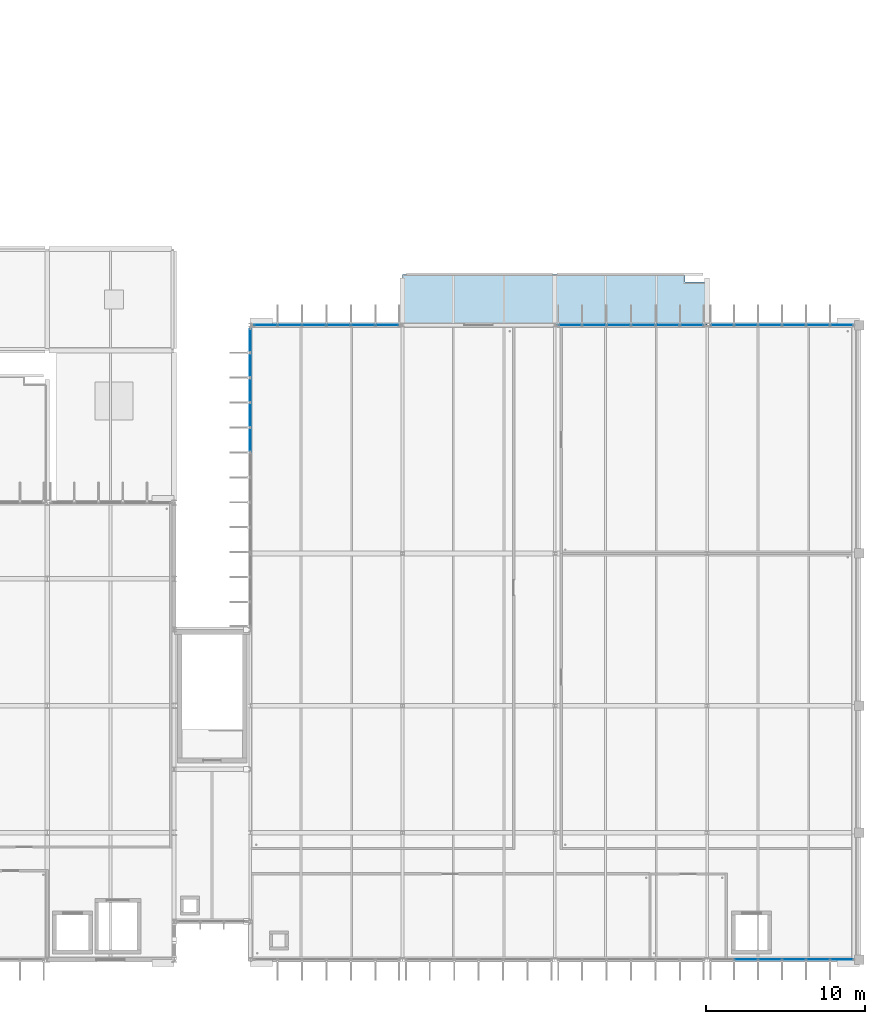
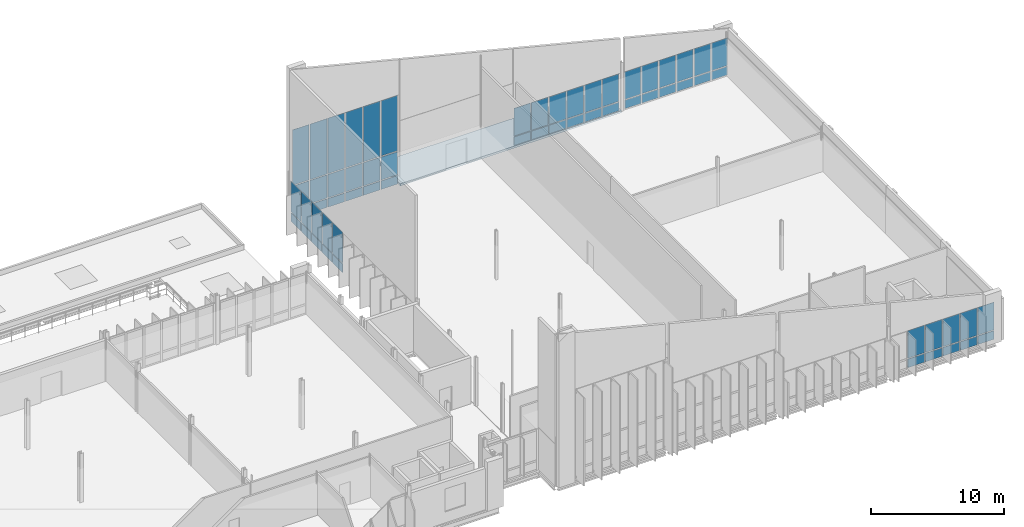
# One storey, part 58 of 110: 62 plates, 1 slab, 5 elements without a shape of their own.
"""IFC4 building model written with IfcOpenShell, lengths in metres."""

from ifc_helpers import new_model, si_unit, direction, frame, origin, origin_2d, place, context, subcontext, project, spatial, polyline, rectangle, outline, extrude, material, layer, layer_set, type_object, element, aggregate, save


model = new_model("IFC4")

# Units and contexts
model_context = context("Model", 3, precision=1e-05, world=origin(), true_north=direction((0.0, 1.0)))
body_context = subcontext(model_context, "Body", "Model", "MODEL_VIEW")
ifc_project = project(units=[si_unit("LENGTHUNIT", "METRE"), si_unit("AREAUNIT", "SQUARE_METRE"), si_unit("VOLUMEUNIT", "CUBIC_METRE"), si_unit("PLANEANGLEUNIT", "RADIAN"), si_unit("MASSUNIT", "GRAM", prefix="KILO")], contexts=[model_context])

# Site, building, storey
site_placement = place(None, origin())
site = spatial("IfcSite", under=ifc_project, at=site_placement, CompositionType="ELEMENT")
building_placement = place(site_placement, origin())
building = spatial("IfcBuilding", under=site, at=building_placement, Name="Dunescarp Central Library", CompositionType="ELEMENT")
storey_placement = place(building_placement, frame((0.0, 0.0, 9.60009765625)))
storey = spatial("IfcBuildingStorey", under=building, at=storey_placement, Name="L02", CompositionType="ELEMENT", Elevation=9.60009765625)

# Curtain wall, plates
ifc_material_1 = material(Name="Marine-grade anodised aluminium 6063-T6", Category="aluminium")
curtain_wall_type = type_object("IfcCurtainWallType", Name="ARC-CW-STICK", PredefinedType="NOTDEFINED", material=ifc_material_1)
curtain_wall_1_placement = place(storey_placement, origin())
curtain_wall_1 = element("IfcCurtainWall", 1, at=curtain_wall_1_placement, inside=storey, type_object=curtain_wall_type, Name="L02 curtain wall CW-V5-165", PredefinedType="NOTDEFINED")
ifc_material_2 = material(Name="Solar-control laminated double glazing", Category="glass")
ifc_layer_1 = layer(ifc_material_2, 0.028076171875)
ifc_layer_set_1 = layer_set([ifc_layer_1], Name="Solar-control laminated double glazing")
plate_type_1 = type_object("IfcPlateType", Name="ARC-PLT-GLZ28", PredefinedType="CURTAIN_PANEL", material=ifc_layer_set_1)
plate_1_placement = place(storey_placement, frame((166.887451171875, 4.800048828125, 0.93994140625), z_axis=(0.0, 0.0, 1.0), x_axis=(-1.0, 0.0, 0.0)))
plate_1 = element("IfcPlate", 2, at=plate_1_placement, type_object=plate_type_1, Name="CW-V5-165 panel 1.2", PredefinedType="CURTAIN_PANEL", context=body_context, shape_type="SweptSolid", body=[
    extrude(rectangle(XDim=1.39501953125, YDim=0.028076171875, at=origin_2d()), origin(), (0.0, 0.0, 1.0), 2.530029296875),
])
plate_2_placement = place(storey_placement, frame((165.392578125, 4.800048828125, 0.93994140625), z_axis=(0.0, 0.0, 1.0), x_axis=(-1.0, 0.0, 0.0)))
plate_2 = element("IfcPlate", 3, at=plate_2_placement, type_object=plate_type_1, Name="CW-V5-165 panel 2.2", PredefinedType="CURTAIN_PANEL", context=body_context, shape_type="SweptSolid", body=[
    extrude(rectangle(XDim=1.43505859375, YDim=0.028076171875, at=origin_2d()), origin(), (0.0, 0.0, 1.0), 2.530029296875),
])
plate_3_placement = place(storey_placement, frame((163.87744140625, 4.800048828125, 0.93994140625), z_axis=(0.0, 0.0, 1.0), x_axis=(-1.0, 0.0, 0.0)))
plate_3 = element("IfcPlate", 4, at=plate_3_placement, type_object=plate_type_1, Name="CW-V5-165 panel 3.2", PredefinedType="CURTAIN_PANEL", context=body_context, shape_type="SweptSolid", body=[
    extrude(rectangle(XDim=1.43505859375, YDim=0.028076171875, at=origin_2d()), origin(), (0.0, 0.0, 1.0), 2.530029296875),
])
plate_4_placement = place(storey_placement, frame((162.362548828125, 4.800048828125, 0.93994140625), z_axis=(0.0, 0.0, 1.0), x_axis=(-1.0, 0.0, 0.0)))
plate_4 = element("IfcPlate", 5, at=plate_4_placement, type_object=plate_type_1, Name="CW-V5-165 panel 4.2", PredefinedType="CURTAIN_PANEL", context=body_context, shape_type="SweptSolid", body=[
    extrude(rectangle(XDim=1.43505859375, YDim=0.028076171875, at=origin_2d()), origin(), (0.0, 0.0, 1.0), 2.530029296875),
])
plate_5_placement = place(storey_placement, frame((160.847412109375, 4.800048828125, 0.93994140625), z_axis=(0.0, 0.0, 1.0), x_axis=(-1.0, 0.0, 0.0)))
plate_5 = element("IfcPlate", 6, at=plate_5_placement, type_object=plate_type_1, Name="CW-V5-165 panel 5.2", PredefinedType="CURTAIN_PANEL", context=body_context, shape_type="SweptSolid", body=[
    extrude(rectangle(XDim=1.43505859375, YDim=0.028076171875, at=origin_2d()), origin(), (0.0, 0.0, 1.0), 2.530029296875),
])

curtain_wall_2_placement = place(storey_placement, origin())
curtain_wall_2 = element("IfcCurtainWall", 7, at=curtain_wall_2_placement, inside=storey, type_object=curtain_wall_type, Name="L02 curtain wall CW-V5-166", PredefinedType="NOTDEFINED")
plate_6_placement = place(storey_placement, frame((130.56591796875, 44.800048828125, 0.93994140625), z_axis=(0.0, 0.0, 1.0), x_axis=(1.0, 0.0, 0.0)))
plate_6 = element("IfcPlate", 8, at=plate_6_placement, type_object=plate_type_1, Name="CW-V5-166 panel 1.2", PredefinedType="CURTAIN_PANEL", context=body_context, shape_type="SweptSolid", body=[
    extrude(rectangle(XDim=1.421630859375, YDim=0.028076171875, at=origin_2d()), origin(), (0.0, 0.0, 1.0), 2.1201171875),
])
plate_7_placement = place(storey_placement, frame((130.56591796875, 44.800048828125, 3.139892578125), z_axis=(0.0, 0.0, 1.0), x_axis=(1.0, 0.0, 0.0)))
plate_7 = element("IfcPlate", 9, at=plate_7_placement, type_object=plate_type_1, Name="CW-V5-166 panel 1.3", PredefinedType="CURTAIN_PANEL", context=body_context, shape_type="SweptSolid", body=[
    extrude(rectangle(XDim=1.421630859375, YDim=0.028076171875, at=origin_2d()), origin(), (0.0, 0.0, 1.0), 5.080078125),
])
plate_8_placement = place(storey_placement, frame((132.08740234375, 44.800048828125, 0.93994140625), z_axis=(0.0, 0.0, 1.0), x_axis=(1.0, 0.0, 0.0)))
plate_8 = element("IfcPlate", 10, at=plate_8_placement, type_object=plate_type_1, Name="CW-V5-166 panel 2.2", PredefinedType="CURTAIN_PANEL", context=body_context, shape_type="SweptSolid", body=[
    extrude(rectangle(XDim=1.461669921875, YDim=0.028076171875, at=origin_2d()), origin(), (0.0, 0.0, 1.0), 2.1201171875),
])
plate_9_placement = place(storey_placement, frame((132.08740234375, 44.800048828125, 3.139892578125), z_axis=(0.0, 0.0, 1.0), x_axis=(1.0, 0.0, 0.0)))
plate_9 = element("IfcPlate", 11, at=plate_9_placement, type_object=plate_type_1, Name="CW-V5-166 panel 2.3", PredefinedType="CURTAIN_PANEL", context=body_context, shape_type="SweptSolid", body=[
    extrude(rectangle(XDim=1.461669921875, YDim=0.028076171875, at=origin_2d()), origin(), (0.0, 0.0, 1.0), 5.080078125),
])
plate_10_placement = place(storey_placement, frame((133.629150390625, 44.800048828125, 0.93994140625), z_axis=(0.0, 0.0, 1.0), x_axis=(1.0, 0.0, 0.0)))
plate_10 = element("IfcPlate", 12, at=plate_10_placement, type_object=plate_type_1, Name="CW-V5-166 panel 3.2", PredefinedType="CURTAIN_PANEL", context=body_context, shape_type="SweptSolid", body=[
    extrude(rectangle(XDim=1.461669921875, YDim=0.028076171875, at=origin_2d()), origin(), (0.0, 0.0, 1.0), 2.1201171875),
])
plate_11_placement = place(storey_placement, frame((133.629150390625, 44.800048828125, 3.139892578125), z_axis=(0.0, 0.0, 1.0), x_axis=(1.0, 0.0, 0.0)))
plate_11 = element("IfcPlate", 13, at=plate_11_placement, type_object=plate_type_1, Name="CW-V5-166 panel 3.3", PredefinedType="CURTAIN_PANEL", context=body_context, shape_type="SweptSolid", body=[
    extrude(rectangle(XDim=1.461669921875, YDim=0.028076171875, at=origin_2d()), origin(), (0.0, 0.0, 1.0), 5.080078125),
])
plate_12_placement = place(storey_placement, frame((135.1708984375, 44.800048828125, 0.93994140625), z_axis=(0.0, 0.0, 1.0), x_axis=(1.0, 0.0, 0.0)))
plate_12 = element("IfcPlate", 14, at=plate_12_placement, type_object=plate_type_1, Name="CW-V5-166 panel 4.2", PredefinedType="CURTAIN_PANEL", context=body_context, shape_type="SweptSolid", body=[
    extrude(rectangle(XDim=1.461669921875, YDim=0.028076171875, at=origin_2d()), origin(), (0.0, 0.0, 1.0), 2.1201171875),
])
plate_13_placement = place(storey_placement, frame((135.1708984375, 44.800048828125, 3.139892578125), z_axis=(0.0, 0.0, 1.0), x_axis=(1.0, 0.0, 0.0)))
plate_13 = element("IfcPlate", 15, at=plate_13_placement, type_object=plate_type_1, Name="CW-V5-166 panel 4.3", PredefinedType="CURTAIN_PANEL", context=body_context, shape_type="SweptSolid", body=[
    extrude(rectangle(XDim=1.461669921875, YDim=0.028076171875, at=origin_2d()), origin(), (0.0, 0.0, 1.0), 5.080078125),
])
plate_14_placement = place(storey_placement, frame((136.71240234375, 44.800048828125, 0.93994140625), z_axis=(0.0, 0.0, 1.0), x_axis=(1.0, 0.0, 0.0)))
plate_14 = element("IfcPlate", 16, at=plate_14_placement, type_object=plate_type_1, Name="CW-V5-166 panel 5.2", PredefinedType="CURTAIN_PANEL", context=body_context, shape_type="SweptSolid", body=[
    extrude(rectangle(XDim=1.461669921875, YDim=0.028076171875, at=origin_2d()), origin(), (0.0, 0.0, 1.0), 2.1201171875),
])
plate_15_placement = place(storey_placement, frame((136.71240234375, 44.800048828125, 3.139892578125), z_axis=(0.0, 0.0, 1.0), x_axis=(1.0, 0.0, 0.0)))
plate_15 = element("IfcPlate", 17, at=plate_15_placement, type_object=plate_type_1, Name="CW-V5-166 panel 5.3", PredefinedType="CURTAIN_PANEL", context=body_context, shape_type="SweptSolid", body=[
    extrude(rectangle(XDim=1.461669921875, YDim=0.028076171875, at=origin_2d()), origin(), (0.0, 0.0, 1.0), 5.080078125),
])
plate_16_placement = place(storey_placement, frame((138.234130859375, 44.800048828125, 0.93994140625), z_axis=(0.0, 0.0, 1.0), x_axis=(1.0, 0.0, 0.0)))
plate_16 = element("IfcPlate", 18, at=plate_16_placement, type_object=plate_type_1, Name="CW-V5-166 panel 6.2", PredefinedType="CURTAIN_PANEL", context=body_context, shape_type="SweptSolid", body=[
    extrude(rectangle(XDim=1.421630859375, YDim=0.028076171875, at=origin_2d()), origin(), (0.0, 0.0, 1.0), 2.1201171875),
])
plate_17_placement = place(storey_placement, frame((138.234130859375, 44.800048828125, 3.139892578125), z_axis=(0.0, 0.0, 1.0), x_axis=(1.0, 0.0, 0.0)))
plate_17 = element("IfcPlate", 19, at=plate_17_placement, type_object=plate_type_1, Name="CW-V5-166 panel 6.3", PredefinedType="CURTAIN_PANEL", context=body_context, shape_type="SweptSolid", body=[
    extrude(rectangle(XDim=1.421630859375, YDim=0.028076171875, at=origin_2d()), origin(), (0.0, 0.0, 1.0), 5.080078125),
])

curtain_wall_3_placement = place(storey_placement, origin())
curtain_wall_3 = element("IfcCurtainWall", 20, at=curtain_wall_3_placement, inside=storey, type_object=curtain_wall_type, Name="L02 curtain wall CW-V5-167", PredefinedType="NOTDEFINED")
plate_18_placement = place(storey_placement, frame((149.765869140625, 44.800048828125, 0.93994140625), z_axis=(0.0, 0.0, 1.0), x_axis=(1.0, 0.0, 0.0)))
plate_18 = element("IfcPlate", 21, at=plate_18_placement, type_object=plate_type_1, Name="CW-V5-167 panel 1.2", PredefinedType="CURTAIN_PANEL", context=body_context, shape_type="SweptSolid", body=[
    extrude(rectangle(XDim=1.421630859375, YDim=0.028076171875, at=origin_2d()), origin(), (0.0, 0.0, 1.0), 2.530029296875),
])
plate_19_placement = place(storey_placement, frame((151.28759765625, 44.800048828125, 0.93994140625), z_axis=(0.0, 0.0, 1.0), x_axis=(1.0, 0.0, 0.0)))
plate_19 = element("IfcPlate", 22, at=plate_19_placement, type_object=plate_type_1, Name="CW-V5-167 panel 2.2", PredefinedType="CURTAIN_PANEL", context=body_context, shape_type="SweptSolid", body=[
    extrude(rectangle(XDim=1.461669921875, YDim=0.028076171875, at=origin_2d()), origin(), (0.0, 0.0, 1.0), 2.530029296875),
])
plate_20_placement = place(storey_placement, frame((152.8291015625, 44.800048828125, 0.93994140625), z_axis=(0.0, 0.0, 1.0), x_axis=(1.0, 0.0, 0.0)))
plate_20 = element("IfcPlate", 23, at=plate_20_placement, type_object=plate_type_1, Name="CW-V5-167 panel 3.2", PredefinedType="CURTAIN_PANEL", context=body_context, shape_type="SweptSolid", body=[
    extrude(rectangle(XDim=1.461669921875, YDim=0.028076171875, at=origin_2d()), origin(), (0.0, 0.0, 1.0), 2.530029296875),
])
plate_21_placement = place(storey_placement, frame((154.370849609375, 44.800048828125, 0.93994140625), z_axis=(0.0, 0.0, 1.0), x_axis=(1.0, 0.0, 0.0)))
plate_21 = element("IfcPlate", 24, at=plate_21_placement, type_object=plate_type_1, Name="CW-V5-167 panel 4.2", PredefinedType="CURTAIN_PANEL", context=body_context, shape_type="SweptSolid", body=[
    extrude(rectangle(XDim=1.461669921875, YDim=0.028076171875, at=origin_2d()), origin(), (0.0, 0.0, 1.0), 2.530029296875),
])
plate_22_placement = place(storey_placement, frame((155.91259765625, 44.800048828125, 0.93994140625), z_axis=(0.0, 0.0, 1.0), x_axis=(1.0, 0.0, 0.0)))
plate_22 = element("IfcPlate", 25, at=plate_22_placement, type_object=plate_type_1, Name="CW-V5-167 panel 5.2", PredefinedType="CURTAIN_PANEL", context=body_context, shape_type="SweptSolid", body=[
    extrude(rectangle(XDim=1.461669921875, YDim=0.028076171875, at=origin_2d()), origin(), (0.0, 0.0, 1.0), 2.530029296875),
])
plate_23_placement = place(storey_placement, frame((157.43408203125, 44.800048828125, 0.93994140625), z_axis=(0.0, 0.0, 1.0), x_axis=(1.0, 0.0, 0.0)))
plate_23 = element("IfcPlate", 26, at=plate_23_placement, type_object=plate_type_1, Name="CW-V5-167 panel 6.2", PredefinedType="CURTAIN_PANEL", context=body_context, shape_type="SweptSolid", body=[
    extrude(rectangle(XDim=1.421630859375, YDim=0.028076171875, at=origin_2d()), origin(), (0.0, 0.0, 1.0), 2.530029296875),
])

curtain_wall_4_placement = place(storey_placement, origin())
curtain_wall_4 = element("IfcCurtainWall", 27, at=curtain_wall_4_placement, inside=storey, type_object=curtain_wall_type, Name="L02 curtain wall CW-V5-168", PredefinedType="NOTDEFINED")
plate_24_placement = place(storey_placement, frame((159.3525390625, 44.800048828125, 0.93994140625), z_axis=(0.0, 0.0, 1.0), x_axis=(1.0, 0.0, 0.0)))
plate_24 = element("IfcPlate", 28, at=plate_24_placement, type_object=plate_type_1, Name="CW-V5-168 panel 1.2", PredefinedType="CURTAIN_PANEL", context=body_context, shape_type="SweptSolid", body=[
    extrude(rectangle(XDim=1.39501953125, YDim=0.028076171875, at=origin_2d()), origin(), (0.0, 0.0, 1.0), 2.530029296875),
])
plate_25_placement = place(storey_placement, frame((160.847412109375, 44.800048828125, 0.93994140625), z_axis=(0.0, 0.0, 1.0), x_axis=(1.0, 0.0, 0.0)))
plate_25 = element("IfcPlate", 29, at=plate_25_placement, type_object=plate_type_1, Name="CW-V5-168 panel 2.2", PredefinedType="CURTAIN_PANEL", context=body_context, shape_type="SweptSolid", body=[
    extrude(rectangle(XDim=1.43505859375, YDim=0.028076171875, at=origin_2d()), origin(), (0.0, 0.0, 1.0), 2.530029296875),
])
plate_26_placement = place(storey_placement, frame((162.362548828125, 44.800048828125, 0.93994140625), z_axis=(0.0, 0.0, 1.0), x_axis=(1.0, 0.0, 0.0)))
plate_26 = element("IfcPlate", 30, at=plate_26_placement, type_object=plate_type_1, Name="CW-V5-168 panel 3.2", PredefinedType="CURTAIN_PANEL", context=body_context, shape_type="SweptSolid", body=[
    extrude(rectangle(XDim=1.43505859375, YDim=0.028076171875, at=origin_2d()), origin(), (0.0, 0.0, 1.0), 2.530029296875),
])
plate_27_placement = place(storey_placement, frame((163.87744140625, 44.800048828125, 0.93994140625), z_axis=(0.0, 0.0, 1.0), x_axis=(1.0, 0.0, 0.0)))
plate_27 = element("IfcPlate", 31, at=plate_27_placement, type_object=plate_type_1, Name="CW-V5-168 panel 4.2", PredefinedType="CURTAIN_PANEL", context=body_context, shape_type="SweptSolid", body=[
    extrude(rectangle(XDim=1.43505859375, YDim=0.028076171875, at=origin_2d()), origin(), (0.0, 0.0, 1.0), 2.530029296875),
])
plate_28_placement = place(storey_placement, frame((165.392578125, 44.800048828125, 0.93994140625), z_axis=(0.0, 0.0, 1.0), x_axis=(1.0, 0.0, 0.0)))
plate_28 = element("IfcPlate", 32, at=plate_28_placement, type_object=plate_type_1, Name="CW-V5-168 panel 5.2", PredefinedType="CURTAIN_PANEL", context=body_context, shape_type="SweptSolid", body=[
    extrude(rectangle(XDim=1.43505859375, YDim=0.028076171875, at=origin_2d()), origin(), (0.0, 0.0, 1.0), 2.530029296875),
])
plate_29_placement = place(storey_placement, frame((166.887451171875, 44.800048828125, 0.93994140625), z_axis=(0.0, 0.0, 1.0), x_axis=(1.0, 0.0, 0.0)))
plate_29 = element("IfcPlate", 33, at=plate_29_placement, type_object=plate_type_1, Name="CW-V5-168 panel 6.2", PredefinedType="CURTAIN_PANEL", context=body_context, shape_type="SweptSolid", body=[
    extrude(rectangle(XDim=1.39501953125, YDim=0.028076171875, at=origin_2d()), origin(), (0.0, 0.0, 1.0), 2.530029296875),
])

curtain_wall_5_placement = place(storey_placement, origin())
curtain_wall_5 = element("IfcCurtainWall", 34, at=curtain_wall_5_placement, inside=storey, type_object=curtain_wall_type, Name="L02 curtain wall CW-V5-169", PredefinedType="NOTDEFINED")
plate_30_placement = place(storey_placement, frame((129.60009765625, 37.55615234375, 0.93994140625), z_axis=(0.0, 0.0, 1.0), x_axis=(0.0, 1.0, 0.0)))
plate_30 = element("IfcPlate", 35, at=plate_30_placement, type_object=plate_type_1, Name="CW-V5-169 panel 8.2", PredefinedType="CURTAIN_PANEL", context=body_context, shape_type="SweptSolid", body=[
    extrude(rectangle(XDim=1.49072265625, YDim=0.028076171875, at=origin_2d()), origin(), (0.0, 0.0, 1.0), 2.824951171875),
])
plate_31_placement = place(storey_placement, frame((129.60009765625, 39.127197265625, 0.93994140625), z_axis=(0.0, 0.0, 1.0), x_axis=(0.0, 1.0, 0.0)))
plate_31 = element("IfcPlate", 36, at=plate_31_placement, type_object=plate_type_1, Name="CW-V5-169 panel 9.2", PredefinedType="CURTAIN_PANEL", context=body_context, shape_type="SweptSolid", body=[
    extrude(rectangle(XDim=1.49072265625, YDim=0.028076171875, at=origin_2d()), origin(), (0.0, 0.0, 1.0), 2.824951171875),
])
plate_32_placement = place(storey_placement, frame((129.60009765625, 40.697998046875, 0.93994140625), z_axis=(0.0, 0.0, 1.0), x_axis=(0.0, 1.0, 0.0)))
plate_32 = element("IfcPlate", 37, at=plate_32_placement, type_object=plate_type_1, Name="CW-V5-169 panel 10.2", PredefinedType="CURTAIN_PANEL", context=body_context, shape_type="SweptSolid", body=[
    extrude(rectangle(XDim=1.49072265625, YDim=0.028076171875, at=origin_2d()), origin(), (0.0, 0.0, 1.0), 2.824951171875),
])
plate_33_placement = place(storey_placement, frame((129.60009765625, 42.268798828125, 0.93994140625), z_axis=(0.0, 0.0, 1.0), x_axis=(0.0, 1.0, 0.0)))
plate_33 = element("IfcPlate", 38, at=plate_33_placement, type_object=plate_type_1, Name="CW-V5-169 panel 11.2", PredefinedType="CURTAIN_PANEL", context=body_context, shape_type="SweptSolid", body=[
    extrude(rectangle(XDim=1.49072265625, YDim=0.028076171875, at=origin_2d()), origin(), (0.0, 0.0, 1.0), 2.824951171875),
])
plate_34_placement = place(storey_placement, frame((129.60009765625, 43.819580078125, 0.93994140625), z_axis=(0.0, 0.0, 1.0), x_axis=(0.0, 1.0, 0.0)))
plate_34 = element("IfcPlate", 39, at=plate_34_placement, type_object=plate_type_1, Name="CW-V5-169 panel 12.2", PredefinedType="CURTAIN_PANEL", context=body_context, shape_type="SweptSolid", body=[
    extrude(rectangle(XDim=1.450927734375, YDim=0.028076171875, at=origin_2d()), origin(), (0.0, 0.0, 1.0), 2.824951171875),
])

# Plate
ifc_layer_2 = layer(ifc_material_1, 0.050048828125)
ifc_layer_set_2 = layer_set([ifc_layer_2], Name="Marine-grade anodised aluminium 6063-T6")
plate_type_2 = type_object("IfcPlateType", Name="ARC-PLT-SPN50", PredefinedType="SHEET", material=ifc_layer_set_2)
plate_35_placement = place(storey_placement, frame((166.887451171875, 4.800048828125, 0.080078125), z_axis=(0.0, 0.0, 1.0), x_axis=(-1.0, 0.0, 0.0)))
plate_35 = element("IfcPlate", 40, at=plate_35_placement, type_object=plate_type_2, Name="CW-V5-165 panel 1.1", PredefinedType="SHEET", context=body_context, shape_type="SweptSolid", body=[
    extrude(rectangle(XDim=1.39501953125, YDim=0.050048828125, at=origin_2d()), origin(), (0.0, 0.0, 1.0), 0.780029296875),
])

plate_36_placement = place(storey_placement, frame((165.392578125, 4.800048828125, 0.080078125), z_axis=(0.0, 0.0, 1.0), x_axis=(-1.0, 0.0, 0.0)))
plate_36 = element("IfcPlate", 41, at=plate_36_placement, type_object=plate_type_2, Name="CW-V5-165 panel 2.1", PredefinedType="SHEET", context=body_context, shape_type="SweptSolid", body=[
    extrude(rectangle(XDim=1.43505859375, YDim=0.050048828125, at=origin_2d()), origin(), (0.0, 0.0, 1.0), 0.780029296875),
])

plate_37_placement = place(storey_placement, frame((163.87744140625, 4.800048828125, 0.080078125), z_axis=(0.0, 0.0, 1.0), x_axis=(-1.0, 0.0, 0.0)))
plate_37 = element("IfcPlate", 42, at=plate_37_placement, type_object=plate_type_2, Name="CW-V5-165 panel 3.1", PredefinedType="SHEET", context=body_context, shape_type="SweptSolid", body=[
    extrude(rectangle(XDim=1.43505859375, YDim=0.050048828125, at=origin_2d()), origin(), (0.0, 0.0, 1.0), 0.780029296875),
])

plate_38_placement = place(storey_placement, frame((162.362548828125, 4.800048828125, 0.080078125), z_axis=(0.0, 0.0, 1.0), x_axis=(-1.0, 0.0, 0.0)))
plate_38 = element("IfcPlate", 43, at=plate_38_placement, type_object=plate_type_2, Name="CW-V5-165 panel 4.1", PredefinedType="SHEET", context=body_context, shape_type="SweptSolid", body=[
    extrude(rectangle(XDim=1.43505859375, YDim=0.050048828125, at=origin_2d()), origin(), (0.0, 0.0, 1.0), 0.780029296875),
])

plate_39_placement = place(storey_placement, frame((160.847412109375, 4.800048828125, 0.080078125), z_axis=(0.0, 0.0, 1.0), x_axis=(-1.0, 0.0, 0.0)))
plate_39 = element("IfcPlate", 44, at=plate_39_placement, type_object=plate_type_2, Name="CW-V5-165 panel 5.1", PredefinedType="SHEET", context=body_context, shape_type="SweptSolid", body=[
    extrude(rectangle(XDim=1.43505859375, YDim=0.050048828125, at=origin_2d()), origin(), (0.0, 0.0, 1.0), 0.780029296875),
])

aggregate(curtain_wall_1, [plate_35, plate_1, plate_36, plate_2, plate_37, plate_3, plate_38, plate_4, plate_39, plate_5])

plate_40_placement = place(storey_placement, frame((130.56591796875, 44.800048828125, 0.080078125), z_axis=(0.0, 0.0, 1.0), x_axis=(1.0, 0.0, 0.0)))
plate_40 = element("IfcPlate", 45, at=plate_40_placement, type_object=plate_type_2, Name="CW-V5-166 panel 1.1", PredefinedType="SHEET", context=body_context, shape_type="SweptSolid", body=[
    extrude(rectangle(XDim=1.421630859375, YDim=0.050048828125, at=origin_2d()), origin(), (0.0, 0.0, 1.0), 0.780029296875),
])

plate_41_placement = place(storey_placement, frame((132.08740234375, 44.800048828125, 0.080078125), z_axis=(0.0, 0.0, 1.0), x_axis=(1.0, 0.0, 0.0)))
plate_41 = element("IfcPlate", 46, at=plate_41_placement, type_object=plate_type_2, Name="CW-V5-166 panel 2.1", PredefinedType="SHEET", context=body_context, shape_type="SweptSolid", body=[
    extrude(rectangle(XDim=1.461669921875, YDim=0.050048828125, at=origin_2d()), origin(), (0.0, 0.0, 1.0), 0.780029296875),
])

plate_42_placement = place(storey_placement, frame((133.629150390625, 44.800048828125, 0.080078125), z_axis=(0.0, 0.0, 1.0), x_axis=(1.0, 0.0, 0.0)))
plate_42 = element("IfcPlate", 47, at=plate_42_placement, type_object=plate_type_2, Name="CW-V5-166 panel 3.1", PredefinedType="SHEET", context=body_context, shape_type="SweptSolid", body=[
    extrude(rectangle(XDim=1.461669921875, YDim=0.050048828125, at=origin_2d()), origin(), (0.0, 0.0, 1.0), 0.780029296875),
])

plate_43_placement = place(storey_placement, frame((135.1708984375, 44.800048828125, 0.080078125), z_axis=(0.0, 0.0, 1.0), x_axis=(1.0, 0.0, 0.0)))
plate_43 = element("IfcPlate", 48, at=plate_43_placement, type_object=plate_type_2, Name="CW-V5-166 panel 4.1", PredefinedType="SHEET", context=body_context, shape_type="SweptSolid", body=[
    extrude(rectangle(XDim=1.461669921875, YDim=0.050048828125, at=origin_2d()), origin(), (0.0, 0.0, 1.0), 0.780029296875),
])

plate_44_placement = place(storey_placement, frame((136.71240234375, 44.800048828125, 0.080078125), z_axis=(0.0, 0.0, 1.0), x_axis=(1.0, 0.0, 0.0)))
plate_44 = element("IfcPlate", 49, at=plate_44_placement, type_object=plate_type_2, Name="CW-V5-166 panel 5.1", PredefinedType="SHEET", context=body_context, shape_type="SweptSolid", body=[
    extrude(rectangle(XDim=1.461669921875, YDim=0.050048828125, at=origin_2d()), origin(), (0.0, 0.0, 1.0), 0.780029296875),
])

plate_45_placement = place(storey_placement, frame((138.234130859375, 44.800048828125, 0.080078125), z_axis=(0.0, 0.0, 1.0), x_axis=(1.0, 0.0, 0.0)))
plate_45 = element("IfcPlate", 50, at=plate_45_placement, type_object=plate_type_2, Name="CW-V5-166 panel 6.1", PredefinedType="SHEET", context=body_context, shape_type="SweptSolid", body=[
    extrude(rectangle(XDim=1.421630859375, YDim=0.050048828125, at=origin_2d()), origin(), (0.0, 0.0, 1.0), 0.780029296875),
])

aggregate(curtain_wall_2, [plate_40, plate_6, plate_7, plate_41, plate_8, plate_9, plate_42, plate_10, plate_11, plate_43, plate_12, plate_13, plate_44, plate_14, plate_15, plate_45, plate_16, plate_17])

plate_46_placement = place(storey_placement, frame((149.765869140625, 44.800048828125, 0.080078125), z_axis=(0.0, 0.0, 1.0), x_axis=(1.0, 0.0, 0.0)))
plate_46 = element("IfcPlate", 51, at=plate_46_placement, type_object=plate_type_2, Name="CW-V5-167 panel 1.1", PredefinedType="SHEET", context=body_context, shape_type="SweptSolid", body=[
    extrude(rectangle(XDim=1.421630859375, YDim=0.050048828125, at=origin_2d()), origin(), (0.0, 0.0, 1.0), 0.780029296875),
])

plate_47_placement = place(storey_placement, frame((151.28759765625, 44.800048828125, 0.080078125), z_axis=(0.0, 0.0, 1.0), x_axis=(1.0, 0.0, 0.0)))
plate_47 = element("IfcPlate", 52, at=plate_47_placement, type_object=plate_type_2, Name="CW-V5-167 panel 2.1", PredefinedType="SHEET", context=body_context, shape_type="SweptSolid", body=[
    extrude(rectangle(XDim=1.461669921875, YDim=0.050048828125, at=origin_2d()), origin(), (0.0, 0.0, 1.0), 0.780029296875),
])

plate_48_placement = place(storey_placement, frame((152.8291015625, 44.800048828125, 0.080078125), z_axis=(0.0, 0.0, 1.0), x_axis=(1.0, 0.0, 0.0)))
plate_48 = element("IfcPlate", 53, at=plate_48_placement, type_object=plate_type_2, Name="CW-V5-167 panel 3.1", PredefinedType="SHEET", context=body_context, shape_type="SweptSolid", body=[
    extrude(rectangle(XDim=1.461669921875, YDim=0.050048828125, at=origin_2d()), origin(), (0.0, 0.0, 1.0), 0.780029296875),
])

plate_49_placement = place(storey_placement, frame((154.370849609375, 44.800048828125, 0.080078125), z_axis=(0.0, 0.0, 1.0), x_axis=(1.0, 0.0, 0.0)))
plate_49 = element("IfcPlate", 54, at=plate_49_placement, type_object=plate_type_2, Name="CW-V5-167 panel 4.1", PredefinedType="SHEET", context=body_context, shape_type="SweptSolid", body=[
    extrude(rectangle(XDim=1.461669921875, YDim=0.050048828125, at=origin_2d()), origin(), (0.0, 0.0, 1.0), 0.780029296875),
])

plate_50_placement = place(storey_placement, frame((155.91259765625, 44.800048828125, 0.080078125), z_axis=(0.0, 0.0, 1.0), x_axis=(1.0, 0.0, 0.0)))
plate_50 = element("IfcPlate", 55, at=plate_50_placement, type_object=plate_type_2, Name="CW-V5-167 panel 5.1", PredefinedType="SHEET", context=body_context, shape_type="SweptSolid", body=[
    extrude(rectangle(XDim=1.461669921875, YDim=0.050048828125, at=origin_2d()), origin(), (0.0, 0.0, 1.0), 0.780029296875),
])

plate_51_placement = place(storey_placement, frame((157.43408203125, 44.800048828125, 0.080078125), z_axis=(0.0, 0.0, 1.0), x_axis=(1.0, 0.0, 0.0)))
plate_51 = element("IfcPlate", 56, at=plate_51_placement, type_object=plate_type_2, Name="CW-V5-167 panel 6.1", PredefinedType="SHEET", context=body_context, shape_type="SweptSolid", body=[
    extrude(rectangle(XDim=1.421630859375, YDim=0.050048828125, at=origin_2d()), origin(), (0.0, 0.0, 1.0), 0.780029296875),
])

aggregate(curtain_wall_3, [plate_46, plate_18, plate_47, plate_19, plate_48, plate_20, plate_49, plate_21, plate_50, plate_22, plate_51, plate_23])

plate_52_placement = place(storey_placement, frame((159.3525390625, 44.800048828125, 0.080078125), z_axis=(0.0, 0.0, 1.0), x_axis=(1.0, 0.0, 0.0)))
plate_52 = element("IfcPlate", 57, at=plate_52_placement, type_object=plate_type_2, Name="CW-V5-168 panel 1.1", PredefinedType="SHEET", context=body_context, shape_type="SweptSolid", body=[
    extrude(rectangle(XDim=1.39501953125, YDim=0.050048828125, at=origin_2d()), origin(), (0.0, 0.0, 1.0), 0.780029296875),
])

plate_53_placement = place(storey_placement, frame((160.847412109375, 44.800048828125, 0.080078125), z_axis=(0.0, 0.0, 1.0), x_axis=(1.0, 0.0, 0.0)))
plate_53 = element("IfcPlate", 58, at=plate_53_placement, type_object=plate_type_2, Name="CW-V5-168 panel 2.1", PredefinedType="SHEET", context=body_context, shape_type="SweptSolid", body=[
    extrude(rectangle(XDim=1.43505859375, YDim=0.050048828125, at=origin_2d()), origin(), (0.0, 0.0, 1.0), 0.780029296875),
])

plate_54_placement = place(storey_placement, frame((162.362548828125, 44.800048828125, 0.080078125), z_axis=(0.0, 0.0, 1.0), x_axis=(1.0, 0.0, 0.0)))
plate_54 = element("IfcPlate", 59, at=plate_54_placement, type_object=plate_type_2, Name="CW-V5-168 panel 3.1", PredefinedType="SHEET", context=body_context, shape_type="SweptSolid", body=[
    extrude(rectangle(XDim=1.43505859375, YDim=0.050048828125, at=origin_2d()), origin(), (0.0, 0.0, 1.0), 0.780029296875),
])

plate_55_placement = place(storey_placement, frame((163.87744140625, 44.800048828125, 0.080078125), z_axis=(0.0, 0.0, 1.0), x_axis=(1.0, 0.0, 0.0)))
plate_55 = element("IfcPlate", 60, at=plate_55_placement, type_object=plate_type_2, Name="CW-V5-168 panel 4.1", PredefinedType="SHEET", context=body_context, shape_type="SweptSolid", body=[
    extrude(rectangle(XDim=1.43505859375, YDim=0.050048828125, at=origin_2d()), origin(), (0.0, 0.0, 1.0), 0.780029296875),
])

plate_56_placement = place(storey_placement, frame((165.392578125, 44.800048828125, 0.080078125), z_axis=(0.0, 0.0, 1.0), x_axis=(1.0, 0.0, 0.0)))
plate_56 = element("IfcPlate", 61, at=plate_56_placement, type_object=plate_type_2, Name="CW-V5-168 panel 5.1", PredefinedType="SHEET", context=body_context, shape_type="SweptSolid", body=[
    extrude(rectangle(XDim=1.43505859375, YDim=0.050048828125, at=origin_2d()), origin(), (0.0, 0.0, 1.0), 0.780029296875),
])

plate_57_placement = place(storey_placement, frame((166.887451171875, 44.800048828125, 0.080078125), z_axis=(0.0, 0.0, 1.0), x_axis=(1.0, 0.0, 0.0)))
plate_57 = element("IfcPlate", 62, at=plate_57_placement, type_object=plate_type_2, Name="CW-V5-168 panel 6.1", PredefinedType="SHEET", context=body_context, shape_type="SweptSolid", body=[
    extrude(rectangle(XDim=1.39501953125, YDim=0.050048828125, at=origin_2d()), origin(), (0.0, 0.0, 1.0), 0.780029296875),
])

aggregate(curtain_wall_4, [plate_52, plate_24, plate_53, plate_25, plate_54, plate_26, plate_55, plate_27, plate_56, plate_28, plate_57, plate_29])

plate_58_placement = place(storey_placement, frame((129.60009765625, 37.55615234375, 0.080078125), z_axis=(0.0, 0.0, 1.0), x_axis=(0.0, 1.0, 0.0)))
plate_58 = element("IfcPlate", 63, at=plate_58_placement, type_object=plate_type_2, Name="CW-V5-169 panel 8.1", PredefinedType="SHEET", context=body_context, shape_type="SweptSolid", body=[
    extrude(rectangle(XDim=1.49072265625, YDim=0.050048828125, at=origin_2d()), origin(), (0.0, 0.0, 1.0), 0.780029296875),
])

plate_59_placement = place(storey_placement, frame((129.60009765625, 39.127197265625, 0.080078125), z_axis=(0.0, 0.0, 1.0), x_axis=(0.0, 1.0, 0.0)))
plate_59 = element("IfcPlate", 64, at=plate_59_placement, type_object=plate_type_2, Name="CW-V5-169 panel 9.1", PredefinedType="SHEET", context=body_context, shape_type="SweptSolid", body=[
    extrude(rectangle(XDim=1.49072265625, YDim=0.050048828125, at=origin_2d()), origin(), (0.0, 0.0, 1.0), 0.780029296875),
])

plate_60_placement = place(storey_placement, frame((129.60009765625, 40.697998046875, 0.080078125), z_axis=(0.0, 0.0, 1.0), x_axis=(0.0, 1.0, 0.0)))
plate_60 = element("IfcPlate", 65, at=plate_60_placement, type_object=plate_type_2, Name="CW-V5-169 panel 10.1", PredefinedType="SHEET", context=body_context, shape_type="SweptSolid", body=[
    extrude(rectangle(XDim=1.49072265625, YDim=0.050048828125, at=origin_2d()), origin(), (0.0, 0.0, 1.0), 0.780029296875),
])

plate_61_placement = place(storey_placement, frame((129.60009765625, 42.268798828125, 0.080078125), z_axis=(0.0, 0.0, 1.0), x_axis=(0.0, 1.0, 0.0)))
plate_61 = element("IfcPlate", 66, at=plate_61_placement, type_object=plate_type_2, Name="CW-V5-169 panel 11.1", PredefinedType="SHEET", context=body_context, shape_type="SweptSolid", body=[
    extrude(rectangle(XDim=1.49072265625, YDim=0.050048828125, at=origin_2d()), origin(), (0.0, 0.0, 1.0), 0.780029296875),
])

plate_62_placement = place(storey_placement, frame((129.60009765625, 43.819580078125, 0.080078125), z_axis=(0.0, 0.0, 1.0), x_axis=(0.0, 1.0, 0.0)))
plate_62 = element("IfcPlate", 67, at=plate_62_placement, type_object=plate_type_2, Name="CW-V5-169 panel 12.1", PredefinedType="SHEET", context=body_context, shape_type="SweptSolid", body=[
    extrude(rectangle(XDim=1.450927734375, YDim=0.050048828125, at=origin_2d()), origin(), (0.0, 0.0, 1.0), 0.780029296875),
])

aggregate(curtain_wall_5, [plate_58, plate_30, plate_59, plate_31, plate_60, plate_32, plate_61, plate_33, plate_62, plate_34])

# Slab
ifc_material_3 = material(Name="Concrete C35/45", Category="concrete")
ifc_layer_3 = layer(ifc_material_3, 0.18994140625)
ifc_layer_set_3 = layer_set([ifc_layer_3], Name="Concrete C35/45")
slab_type = type_object("IfcSlabType", Name="STR-SLB-TER190", PredefinedType="FLOOR", material=ifc_layer_set_3)
slab_placement = place(storey_placement, frame((0.0, 0.0, -0.190185546875)))
element("IfcSlab", 68, at=slab_placement, inside=storey, type_object=slab_type, Name="L02 outdoor reading terrace TER-L02-V5N", PredefinedType="FLOOR", context=body_context, shape_type="SweptSolid", body=[
    extrude(outline(polyline([(139.199951171875, 44.800048828125), (158.39990234375, 44.800048828125), (158.39990234375, 47.5), (157.0, 47.5), (157.0, 48.0), (139.199951171875, 48.0), (139.199951171875, 44.800048828125)])), origin(), (0.0, 0.0, 1.0), 0.190185546875),
])

save(model, "model.ifc")
